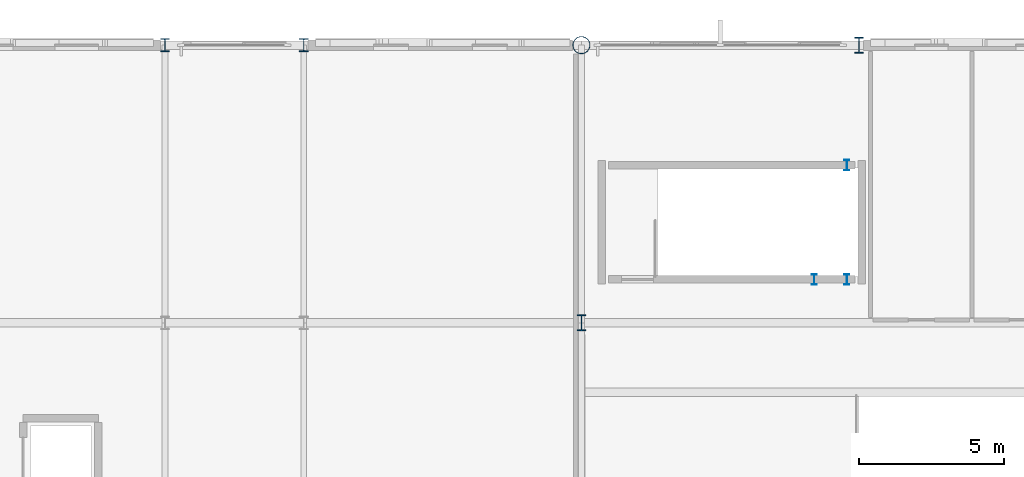
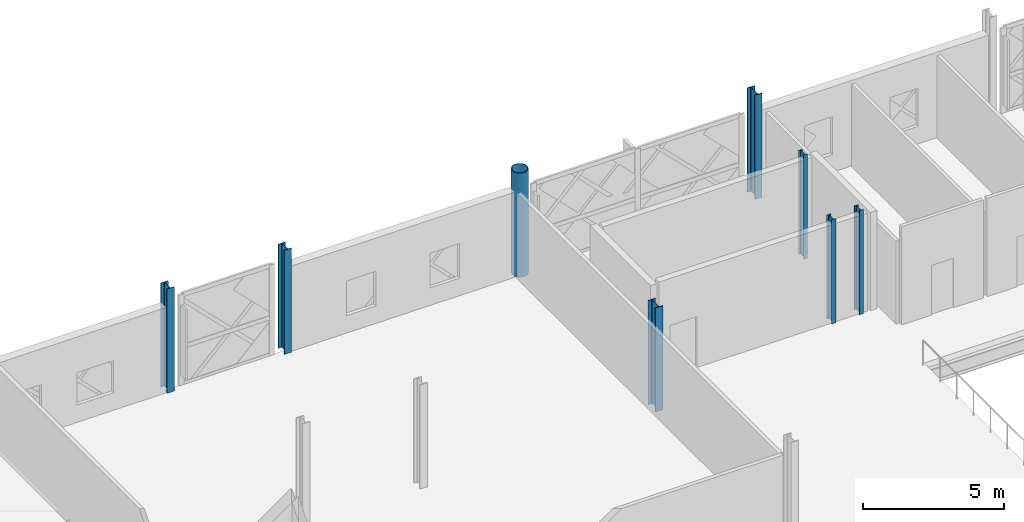
# One storey, part 16 of 101: 8 columns.
"""IFC4 building model written with IfcOpenShell, lengths in metres."""

from ifc_helpers import new_model, si_unit, direction, frame, origin, origin_2d, place, context, subcontext, project, spatial, hollow_circle, i_section, extrude, material, material_profile, profile_set, type_object, element, save


model = new_model("IFC4")

# Units and contexts
model_context = context("Model", 3, precision=1e-05, world=origin(), true_north=direction((0.0, 1.0)))
body_context = subcontext(model_context, "Body", "Model", "MODEL_VIEW")
ifc_project = project(units=[si_unit("LENGTHUNIT", "METRE"), si_unit("AREAUNIT", "SQUARE_METRE"), si_unit("VOLUMEUNIT", "CUBIC_METRE"), si_unit("PLANEANGLEUNIT", "RADIAN"), si_unit("MASSUNIT", "GRAM", prefix="KILO")], contexts=[model_context])

# Site, building, storey
site_placement = place(None, origin())
site = spatial("IfcSite", under=ifc_project, at=site_placement, CompositionType="ELEMENT")
building_placement = place(site_placement, origin())
building = spatial("IfcBuilding", under=site, at=building_placement, Name="Zevrakil Square Congress Hotel", CompositionType="ELEMENT")
storey_placement = place(building_placement, frame((0.0, 0.0, 5.39990234375)))
storey = spatial("IfcBuildingStorey", under=building, at=storey_placement, Name="L02", CompositionType="ELEMENT", Elevation=5.39990234375)

# Columns
ifc_material_1 = material(Name="Steel S355", Category="steel")
ifc_material_profile_1 = material_profile(ifc_material_1, hollow_circle(Radius=0.304931640625, WallThickness=0.02490234375, at=origin_2d()), Name="CHS 610x25")
ifc_profile_set_1 = profile_set([ifc_material_profile_1], Name="Steel S355")
column_type_1 = type_object("IfcColumnType", Name="COL-CHS610", PredefinedType="COLUMN", material=ifc_profile_set_1)
column_placement = place(storey_placement, frame((117.60009765625, 112.800048828125, 0.0), z_axis=(0.0, 0.0, 1.0), x_axis=(1.0, 0.0, 0.0)))
element("IfcColumn", 1, at=column_placement, inside=storey, type_object=column_type_1, Name="L02 column C-193", PredefinedType="COLUMN", context=body_context, shape_type="SweptSolid", body=[
    extrude(hollow_circle(Radius=0.304931640625, WallThickness=0.02490234375, at=origin_2d()), origin(), (0.0, 0.0, 1.0), 4.5),
])
ifc_material_2 = material(Name="Steel S355", Category="steel")
ifc_material_profile_2 = material_profile(ifc_material_2, i_section(OverallWidth=0.300048828125, OverallDepth=0.449951171875, WebThickness=0.013916015625, FlangeThickness=0.02587890625, FilletRadius=0.027099609375, at=origin_2d()), Name="HEB 450")
ifc_profile_set_2 = profile_set([ifc_material_profile_2], Name="Steel S355")
column_type_2 = type_object("IfcColumnType", Name="COL-HEB450", PredefinedType="COLUMN", material=ifc_profile_set_2)
for number, where, z_axis, x_axis, name in (
    (2, (103.199951171875, 112.800048828125, 0.0), (0.0, 0.0, 1.0), (1.0, 0.0, 0.0), "L02 column C-161"),
    (3, (108.0, 112.800048828125, 0.0), (0.0, 0.0, 1.0), (1.0, 0.0, 0.0), "L02 column C-175"),
):
    element("IfcColumn", number, at=place(storey_placement, frame(where, z_axis=z_axis, x_axis=x_axis)), inside=storey, type_object=column_type_2, Name=name, PredefinedType="COLUMN", context=body_context, shape_type="SweptSolid", body=[
        extrude(i_section(OverallWidth=0.300048828125, OverallDepth=0.449951171875, WebThickness=0.013916015625, FlangeThickness=0.02587890625, FilletRadius=0.027099609375, at=origin_2d()), origin(), (0.0, 0.0, 1.0), 4.5),
    ])
ifc_material_3 = material(Name="Steel S355", Category="steel")
ifc_material_profile_3 = material_profile(ifc_material_3, i_section(OverallWidth=0.300048828125, OverallDepth=0.550048828125, WebThickness=0.014892578125, FlangeThickness=0.029052734375, FilletRadius=0.027099609375, at=origin_2d()), Name="HEB 550")
ifc_profile_set_3 = profile_set([ifc_material_profile_3], Name="Steel S355")
column_type_3 = type_object("IfcColumnType", Name="COL-HEB550", PredefinedType="COLUMN", material=ifc_profile_set_3)
for number, where, z_axis, x_axis, name in (
    (4, (117.60009765625, 103.199951171875, 0.0), (0.0, 0.0, 1.0), (1.0, 0.0, 0.0), "L02 column C-192"),
    (5, (127.199951171875, 112.800048828125, 0.0), (0.0, 0.0, 1.0), (1.0, 0.0, 0.0), "L02 column C-202"),
):
    element("IfcColumn", number, at=place(storey_placement, frame(where, z_axis=z_axis, x_axis=x_axis)), inside=storey, type_object=column_type_3, Name=name, PredefinedType="COLUMN", context=body_context, shape_type="SweptSolid", body=[
        extrude(i_section(OverallWidth=0.300048828125, OverallDepth=0.550048828125, WebThickness=0.014892578125, FlangeThickness=0.029052734375, FilletRadius=0.027099609375, at=origin_2d()), origin(), (0.0, 0.0, 1.0), 4.5),
    ])
ifc_material_4 = material(Name="Steel S355", Category="steel")
ifc_material_profile_4 = material_profile(ifc_material_4, i_section(OverallWidth=0.169921875, OverallDepth=0.360107421875, WebThickness=0.008056640625, FlangeThickness=0.0126953125, FilletRadius=0.01806640625, at=origin_2d()), Name="IPE 360")
ifc_profile_set_4 = profile_set([ifc_material_profile_4], Name="Steel S355")
column_type_4 = type_object("IfcColumnType", Name="COL-PILASTER-SHS180", PredefinedType="PILASTER", material=ifc_profile_set_4)
for number, where, z_axis, x_axis, name in (
    (6, (125.64990234375, 104.699951171875, 0.0), (0.0, 0.0, 1.0), (1.0, 0.0, 0.0), "L02 ST11 stair shaft post 1"),
    (7, (126.780029296875, 104.699951171875, 0.0), (0.0, 0.0, 1.0), (1.0, 0.0, 0.0), "L02 ST11 stair shaft post 2"),
    (8, (126.780029296875, 108.64990234375, 0.0), (0.0, 0.0, 1.0), (1.0, 0.0, 0.0), "L02 ST11 stair shaft post 3"),
):
    element("IfcColumn", number, at=place(storey_placement, frame(where, z_axis=z_axis, x_axis=x_axis)), inside=storey, type_object=column_type_4, Name=name, PredefinedType="PILASTER", context=body_context, shape_type="SweptSolid", body=[
        extrude(i_section(OverallWidth=0.169921875, OverallDepth=0.360107421875, WebThickness=0.008056640625, FlangeThickness=0.0126953125, FilletRadius=0.01806640625, at=origin_2d()), origin(), (0.0, 0.0, 1.0), 4.5),
    ])

save(model, "model.ifc")
